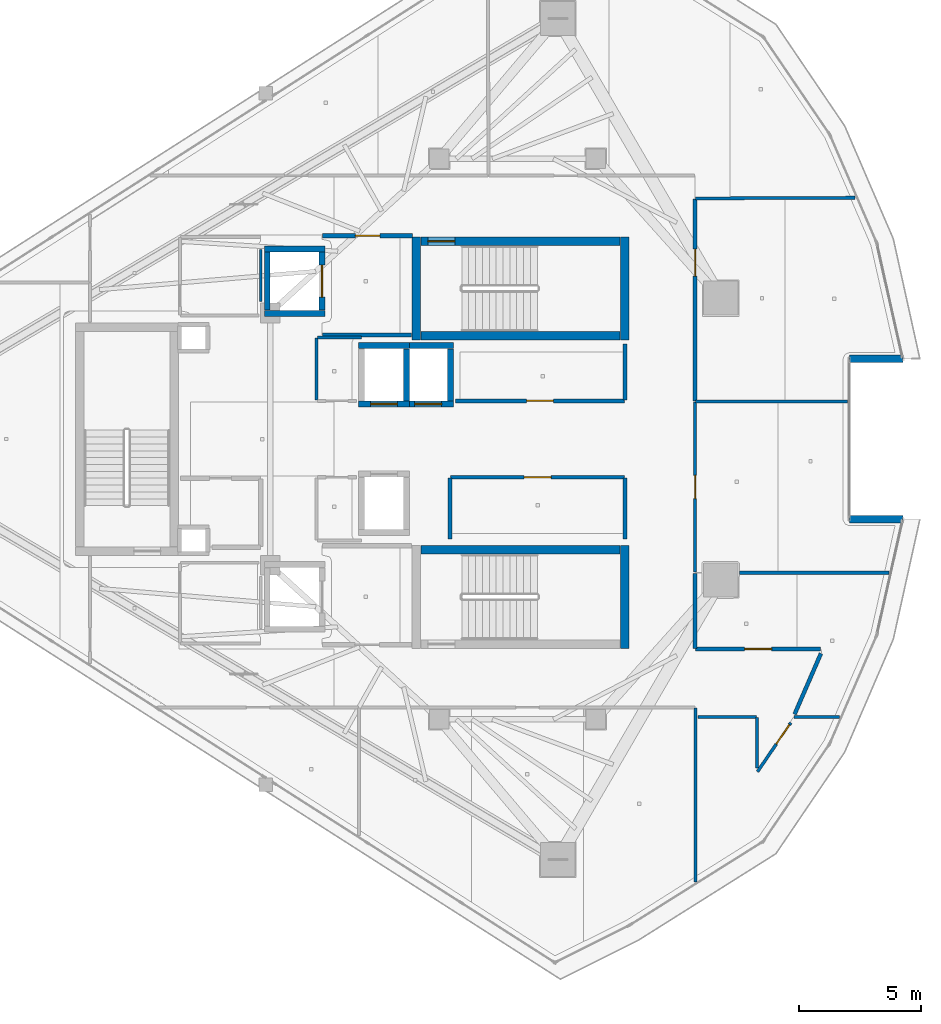
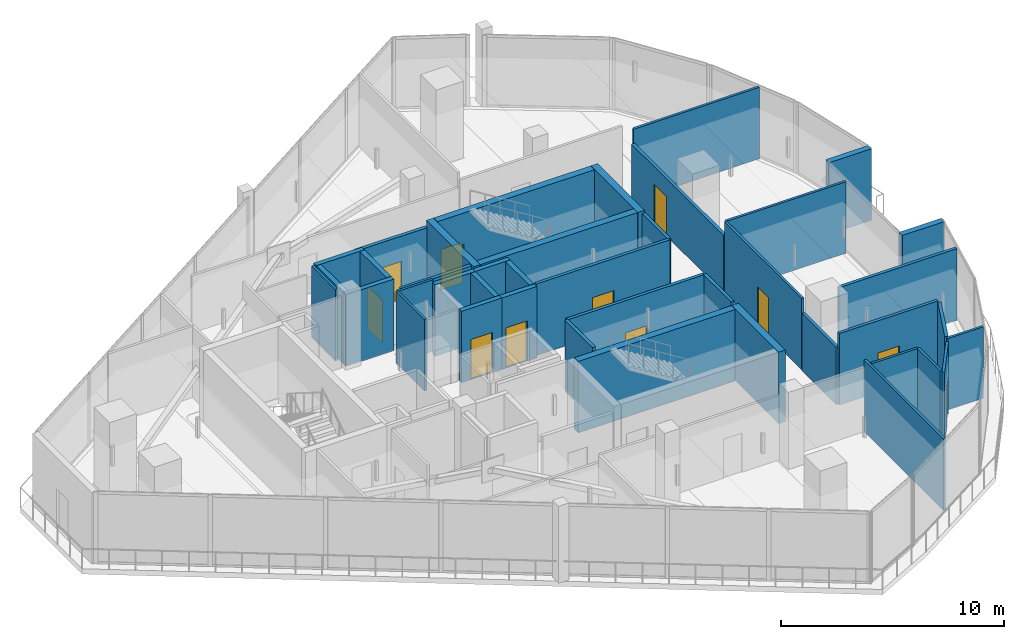
# One storey, part 18 of 25: 41 walls, 11 doors, 11 openings.
"""IFC4 building model written with IfcOpenShell, lengths in metres."""

from ifc_helpers import new_model, si_unit, direction, frame, frame_2d, origin, place, context, subcontext, project, spatial, rectangle, extrude, material, layer, layer_set, type_object, element, fill, save


model = new_model("IFC4")

# Units and contexts
model_context = context("Model", 3, precision=1e-05, world=origin(), true_north=direction((0.0, 1.0)))
body_context = subcontext(model_context, "Body", "Model", "MODEL_VIEW")
ifc_project = project(units=[si_unit("LENGTHUNIT", "METRE"), si_unit("AREAUNIT", "SQUARE_METRE"), si_unit("VOLUMEUNIT", "CUBIC_METRE"), si_unit("PLANEANGLEUNIT", "RADIAN"), si_unit("MASSUNIT", "GRAM", prefix="KILO")], contexts=[model_context])

# Site, building, storey
site_placement = place(None, origin())
site = spatial("IfcSite", under=ifc_project, at=site_placement, CompositionType="ELEMENT")
building_placement = place(site_placement, origin())
building = spatial("IfcBuilding", under=site, at=building_placement, Name="Qorvath Tower", CompositionType="ELEMENT")
storey_placement = place(building_placement, frame((0.0, 0.0, 314.39990234375)))
storey = spatial("IfcBuildingStorey", under=building, at=storey_placement, Name="L73", CompositionType="ELEMENT", Elevation=314.39990234375)

# Wall
ifc_material_1 = material(Name="Gypsum shaftliner on steel studs", Category="steel")
ifc_layer_1 = layer(ifc_material_1, 0.179931640625)
ifc_layer_set_1 = layer_set([ifc_layer_1], Name="FW-LOBBY")
wall_type_1 = type_object("IfcWallType", Name="FW-LOBBY", PredefinedType="PARTITIONING", material=ifc_layer_set_1)
wall_1_placement = place(storey_placement, frame((-28.35498046875, 4.25, 0.0), z_axis=(0.0, 0.0, 1.0), x_axis=(1.0, 0.0, 0.0)))
element("IfcWall", 1, at=wall_1_placement, inside=storey, type_object=wall_type_1, Name="Interior Partition IW-T1-L73-001", PredefinedType="PARTITIONING", context=body_context, shape_type="SweptSolid", body=[
    extrude(rectangle(XDim=3.6220703125, YDim=0.179931640625, at=frame_2d((1.81103515625, 0.0))), origin(), (0.0, 0.0, 1.0), 3.91015625),
])

# Wall, opening, door
wall_2_placement = place(storey_placement, frame((-24.68408203125, 8.300048828125, 0.0), z_axis=(0.0, 0.0, 1.0), x_axis=(-1.0, 0.0, 0.0)))
wall_2 = element("IfcWall", 2, at=wall_2_placement, inside=storey, type_object=wall_type_1, Name="Interior Partition IW-T1-L73-002", PredefinedType="PARTITIONING", context=body_context, shape_type="SweptSolid", body=[
    extrude(rectangle(XDim=3.6708984375, YDim=0.179931640625, at=frame_2d((1.83544921875, 0.0))), origin(), (0.0, 0.0, 1.0), 3.529052734375),
])
opening_1_placement = place(wall_2_placement, frame((1.33544921875, 0.0, 0.0)))
opening_1 = element("IfcOpeningElement", 3, at=opening_1_placement, cuts=wall_2, Name="Opening D-T1-L73-16", PredefinedType="OPENING", context=body_context, shape_type="SweptSolid", body=[
    extrude(rectangle(XDim=1.0, YDim=2.14990234375, at=frame_2d((0.5, 1.074951171875))), frame((0.0, 0.10009765625, 0.0), z_axis=(0.0, -1.0, 0.0), x_axis=(1.0, 0.0, 0.0)), (0.0, 0.0, 1.0), 0.199951171875),
])
ifc_material_2 = material(Name="Painted galvanised hollow metal", Category="steel")
door_type_1 = type_object("IfcDoorType", Name="FD-60", OperationType="NOTDEFINED", PredefinedType="DOOR", material=ifc_material_2)
door_1_placement = place(opening_1_placement, origin())
door_1 = element("IfcDoor", 4, at=door_1_placement, inside=storey, type_object=door_type_1, Name="Lobby Fire Service Elevator North Door D-T1-L73-16", OperationType="SINGLE_SWING_LEFT", OverallHeight=2.14990234375, OverallWidth=1.0, PredefinedType="DOOR", context=body_context, shape_type="SweptSolid", body=[
    extrude(rectangle(XDim=1.0, YDim=2.14990234375, at=frame_2d((0.5, 1.074951171875))), frame((0.0, 0.02490234375, 0.0), z_axis=(0.0, -1.0, 0.0), x_axis=(1.0, 0.0, 0.0)), (0.0, 0.0, 1.0), 0.050048828125),
])
fill(opening_1, door_1)

ifc_material_3 = material(Name="Double acoustic gypsum board on steel studs", Category="steel")
ifc_layer_2 = layer(ifc_material_3, 0.159912109375)
ifc_layer_set_2 = layer_set([ifc_layer_2], Name="IW-ACOUSTIC-160")
wall_type_2 = type_object("IfcWallType", Name="IW-ACOUSTIC-160", PredefinedType="PARTITIONING", material=ifc_layer_set_2)
wall_3_placement = place(storey_placement, frame((-22.933837890625, 1.56005859375, 0.0), z_axis=(0.0, 0.0, 1.0), x_axis=(1.0, 0.0, 0.0)))
wall_3 = element("IfcWall", 5, at=wall_3_placement, inside=storey, type_object=wall_type_2, Name="Interior Partition IW-T1-L73-013", PredefinedType="PARTITIONING", context=body_context, shape_type="SweptSolid", body=[
    extrude(rectangle(XDim=6.908935546875, YDim=0.159912109375, at=frame_2d((3.45458984375, 0.0))), origin(), (0.0, 0.0, 1.0), 3.91015625),
])
opening_2_placement = place(wall_3_placement, frame((2.904541015625, 0.0, 0.0)))
opening_2 = element("IfcOpeningElement", 6, at=opening_2_placement, cuts=wall_3, Name="Opening D-T1-L73-03", PredefinedType="OPENING", context=body_context, shape_type="SweptSolid", body=[
    extrude(rectangle(XDim=1.10009765625, YDim=2.14990234375, at=frame_2d((0.550048828125, 1.074951171875))), frame((0.0, 0.08984375, 0.0), z_axis=(0.0, -1.0, 0.0), x_axis=(1.0, 0.0, 0.0)), (0.0, 0.0, 1.0), 0.179931640625),
])
ifc_material_4 = material(Name="Anodised aluminium acoustic framed glass", Category="aluminium")
door_type_2 = type_object("IfcDoorType", Name="D-03", OperationType="NOTDEFINED", PredefinedType="DOOR", material=ifc_material_4)
door_2_placement = place(opening_2_placement, origin())
door_2 = element("IfcDoor", 7, at=door_2_placement, inside=storey, type_object=door_type_2, Name="L73-RCN North Executive Support Office Door D-T1-L73-03", OperationType="SINGLE_SWING_RIGHT", OverallHeight=2.14990234375, OverallWidth=1.10009765625, PredefinedType="DOOR", context=body_context, shape_type="SweptSolid", body=[
    extrude(rectangle(XDim=1.10009765625, YDim=2.14990234375, at=frame_2d((0.550048828125, 1.074951171875))), frame((0.0, 0.02490234375, 0.0), z_axis=(0.0, -1.0, 0.0), x_axis=(1.0, 0.0, 0.0)), (0.0, 0.0, 1.0), 0.050048828125),
])
fill(opening_2, door_2)

# Walls
wall_4_placement = place(storey_placement, frame((-16.0, 1.585205078125, 0.0), z_axis=(0.0, 0.0, 1.0), x_axis=(0.0, 1.0, 0.0)))
element("IfcWall", 8, at=wall_4_placement, inside=storey, type_object=wall_type_2, Name="Interior Partition IW-T1-L73-014", PredefinedType="PARTITIONING", context=body_context, shape_type="SweptSolid", body=[
    extrude(rectangle(XDim=2.30224609375, YDim=0.159912109375, at=frame_2d((1.151123046875, 0.0))), origin(), (0.0, 0.0, 1.0), 3.91015625),
])
for number, where, z_axis, x_axis, name in (
    (9, (-23.14990234375, -1.585205078125, 0.0), (0.0, 0.0, 1.0), (0.0, -1.0, 0.0), "Interior Partition IW-T1-L73-015"),
    (10, (-16.0, -4.0751953125, 0.0), (0.0, 0.0, 1.0), (0.0, 1.0, 0.0), "Interior Partition IW-T1-L73-016"),
):
    element("IfcWall", number, at=place(storey_placement, frame(where, z_axis=z_axis, x_axis=x_axis)), inside=storey, type_object=wall_type_2, Name=name, PredefinedType="PARTITIONING", context=body_context, shape_type="SweptSolid", body=[
        extrude(rectangle(XDim=2.489990234375, YDim=0.159912109375, at=frame_2d((1.2451171875, 0.0))), origin(), (0.0, 0.0, 1.0), 3.91015625),
    ])

# Wall, opening, door
wall_5_placement = place(storey_placement, frame((-16.02490234375, -1.56005859375, 0.0), z_axis=(0.0, 0.0, 1.0), x_axis=(-1.0, 0.0, 0.0)))
wall_5 = element("IfcWall", 11, at=wall_5_placement, inside=storey, type_object=wall_type_2, Name="Interior Partition IW-T1-L73-017", PredefinedType="PARTITIONING", context=body_context, shape_type="SweptSolid", body=[
    extrude(rectangle(XDim=7.10009765625, YDim=0.159912109375, at=frame_2d((3.550048828125, 0.0))), origin(), (0.0, 0.0, 1.0), 3.91015625),
])
opening_3_placement = place(wall_5_placement, frame((3.0, 0.0, 0.0)))
opening_3 = element("IfcOpeningElement", 12, at=opening_3_placement, cuts=wall_5, Name="Opening D-T1-L73-04", PredefinedType="OPENING", context=body_context, shape_type="SweptSolid", body=[
    extrude(rectangle(XDim=1.10009765625, YDim=2.14990234375, at=frame_2d((0.550048828125, 1.074951171875))), frame((0.0, 0.08984375, 0.0), z_axis=(0.0, -1.0, 0.0), x_axis=(1.0, 0.0, 0.0)), (0.0, 0.0, 1.0), 0.179931640625),
])
door_3_placement = place(opening_3_placement, origin())
door_3 = element("IfcDoor", 13, at=door_3_placement, inside=storey, type_object=door_type_2, Name="L73-RCS South Executive Support Office Door D-T1-L73-04", OperationType="SINGLE_SWING_LEFT", OverallHeight=2.14990234375, OverallWidth=1.10009765625, PredefinedType="DOOR", context=body_context, shape_type="SweptSolid", body=[
    extrude(rectangle(XDim=1.10009765625, YDim=2.14990234375, at=frame_2d((0.550048828125, 1.074951171875))), frame((0.0, 0.02490234375, 0.0), z_axis=(0.0, -1.0, 0.0), x_axis=(1.0, 0.0, 0.0)), (0.0, 0.0, 1.0), 0.050048828125),
])
fill(opening_3, door_3)

# Walls
wall_6_placement = place(storey_placement, frame((-5.228271484375, -5.460693359375, 0.0), z_axis=(0.0, 0.0, 1.0), x_axis=(-1.0, 0.0, 0.0)))
element("IfcWall", 14, at=wall_6_placement, inside=storey, type_object=wall_type_2, Name="Interior Partition IW-T1-L73-039", PredefinedType="PARTITIONING", context=body_context, shape_type="SweptSolid", body=[
    extrude(rectangle(XDim=6.103515625, YDim=0.159912109375, at=frame_2d((3.0517578125, 0.0))), origin(), (0.0, 0.0, 1.0), 3.91015625),
])
wall_7_placement = place(storey_placement, frame((-13.14208984375, -5.485595703125, 0.0), z_axis=(0.0, 0.0, 1.0), x_axis=(0.0, -1.0, 0.0)))
element("IfcWall", 15, at=wall_7_placement, inside=storey, type_object=wall_type_2, Name="Interior Partition IW-T1-L73-040", PredefinedType="PARTITIONING", context=body_context, shape_type="SweptSolid", body=[
    extrude(rectangle(XDim=3.0615234375, YDim=0.159912109375, at=frame_2d((1.53076171875, 0.0))), origin(), (0.0, 0.0, 1.0), 3.130126953125),
])

# Wall, opening, door
wall_8_placement = place(storey_placement, frame((-13.1171875, -8.572021484375, 0.0), z_axis=(0.0, 0.0, 1.0), x_axis=(1.0, 0.0, 0.0)))
wall_8 = element("IfcWall", 16, at=wall_8_placement, inside=storey, type_object=wall_type_2, Name="Interior Partition IW-T1-L73-041", PredefinedType="PARTITIONING", context=body_context, shape_type="SweptSolid", body=[
    extrude(rectangle(XDim=5.100341796875, YDim=0.159912109375, at=frame_2d((2.55029296875, 0.0))), origin(), (0.0, 0.0, 1.0), 3.91015625),
])
opening_4_placement = place(wall_8_placement, frame((2.000244140625, 0.0, 0.0)))
opening_4 = element("IfcOpeningElement", 17, at=opening_4_placement, cuts=wall_8, Name="Opening D-T1-L73-11", PredefinedType="OPENING", context=body_context, shape_type="SweptSolid", body=[
    extrude(rectangle(XDim=1.10009765625, YDim=2.14990234375, at=frame_2d((0.550048828125, 1.074951171875))), frame((0.0, 0.08984375, 0.0), z_axis=(0.0, -1.0, 0.0), x_axis=(1.0, 0.0, 0.0)), (0.0, 0.0, 1.0), 0.179931640625),
])
door_4_placement = place(opening_4_placement, origin())
door_4 = element("IfcDoor", 18, at=door_4_placement, inside=storey, type_object=door_type_2, Name="L73-06 Digital Visualization Suite Door D-T1-L73-11", OperationType="SINGLE_SWING_RIGHT", OverallHeight=2.14990234375, OverallWidth=1.10009765625, PredefinedType="DOOR", context=body_context, shape_type="SweptSolid", body=[
    extrude(rectangle(XDim=1.10009765625, YDim=2.14990234375, at=frame_2d((0.550048828125, 1.074951171875))), frame((0.0, 0.02490234375, 0.0), z_axis=(0.0, -1.0, 0.0), x_axis=(1.0, 0.0, 0.0)), (0.0, 0.0, 1.0), 0.050048828125),
])
fill(opening_4, door_4)

# Wall
wall_9_placement = place(storey_placement, frame((-9.079345703125, -11.241943359375, 0.0), z_axis=(0.0, 0.0, 1.0), x_axis=(0.397799688337, 0.917472292747, 0.0)))
element("IfcWall", 19, at=wall_9_placement, inside=storey, type_object=wall_type_2, Name="Interior Partition IW-T1-L73-042", PredefinedType="PARTITIONING", context=body_context, shape_type="SweptSolid", body=[
    extrude(rectangle(XDim=2.70849609375, YDim=0.159912109375, at=frame_2d((1.354248046875, 0.0))), origin(), (0.0, 0.0, 1.0), 3.91015625),
])

# Wall, opening, door
wall_10_placement = place(storey_placement, frame((-13.14208984375, 9.795654296875, 0.0), z_axis=(0.0, 0.0, 1.0), x_axis=(0.0, -1.0, 0.0)))
wall_10 = element("IfcWall", 20, at=wall_10_placement, inside=storey, type_object=wall_type_2, Name="Interior Partition IW-T1-L73-045", PredefinedType="PARTITIONING", context=body_context, shape_type="SweptSolid", body=[
    extrude(rectangle(XDim=8.233154296875, YDim=0.159912109375, at=frame_2d((4.11669921875, 0.0))), origin(), (0.0, 0.0, 1.0), 3.130126953125),
])
opening_5_placement = place(wall_10_placement, frame((2.0380859375, 0.0, 0.0)))
opening_5 = element("IfcOpeningElement", 21, at=opening_5_placement, cuts=wall_10, Name="Opening D-T1-L73-13", PredefinedType="OPENING", context=body_context, shape_type="SweptSolid", body=[
    extrude(rectangle(XDim=1.10009765625, YDim=2.14990234375, at=frame_2d((0.550048828125, 1.074951171875))), frame((0.0, 0.08984375, 0.0), z_axis=(0.0, -1.0, 0.0), x_axis=(1.0, 0.0, 0.0)), (0.0, 0.0, 1.0), 0.179931640625),
])
door_5_placement = place(opening_5_placement, origin())
door_5 = element("IfcDoor", 22, at=door_5_placement, inside=storey, type_object=door_type_2, Name="L73-08 Team Project Office Door D-T1-L73-13", OperationType="SINGLE_SWING_RIGHT", OverallHeight=2.14990234375, OverallWidth=1.10009765625, PredefinedType="DOOR", context=body_context, shape_type="SweptSolid", body=[
    extrude(rectangle(XDim=1.10009765625, YDim=2.14990234375, at=frame_2d((0.550048828125, 1.074951171875))), frame((0.0, 0.02490234375, 0.0), z_axis=(0.0, -1.0, 0.0), x_axis=(1.0, 0.0, 0.0)), (0.0, 0.0, 1.0), 0.050048828125),
])
fill(opening_5, door_5)

# Walls
ifc_material_5 = material(Name="Gypsum board on metal studs with mineral wool", Category="gypsum")
ifc_layer_3 = layer(ifc_material_5, 0.125)
ifc_layer_set_3 = layer_set([ifc_layer_3], Name="IW-PART-125")
wall_type_3 = type_object("IfcWallType", Name="IW-PART-125", PredefinedType="PARTITIONING", material=ifc_layer_set_3)
wall_11_placement = place(storey_placement, frame((-28.60009765625, 4.125, 0.0), z_axis=(0.0, 0.0, 1.0), x_axis=(0.0, -1.0, 0.0)))
element("IfcWall", 23, at=wall_11_placement, inside=storey, type_object=wall_type_3, Name="Interior Partition IW-T1-L73-018", PredefinedType="PARTITIONING", context=body_context, shape_type="SweptSolid", body=[
    extrude(rectangle(XDim=2.539794921875, YDim=0.125, at=frame_2d((1.27001953125, 0.0))), origin(), (0.0, 0.0, 1.0), 3.91015625),
])
wall_12_placement = place(storey_placement, frame((-26.77490234375, 4.14990234375, 0.0), z_axis=(0.0, 0.0, 1.0), x_axis=(-1.0, 0.0, 0.0)))
element("IfcWall", 24, at=wall_12_placement, inside=storey, type_object=wall_type_3, Name="Interior Partition IW-T1-L73-020", PredefinedType="PARTITIONING", context=body_context, shape_type="SweptSolid", body=[
    extrude(rectangle(XDim=1.80029296875, YDim=0.125, at=frame_2d((0.900146484375, 0.0))), origin(), (0.0, 0.0, 1.0), 3.91015625),
])
wall_13_placement = place(storey_placement, frame((-13.1171875, 9.82861328125, 0.0), z_axis=(0.0, 0.0, 1.0), x_axis=(0.999990541958, 0.004349252104, 0.0)))
element("IfcWall", 25, at=wall_13_placement, inside=storey, type_object=wall_type_3, Name="Interior Partition IW-T1-L73-030", PredefinedType="PARTITIONING", context=body_context, shape_type="SweptSolid", body=[
    extrude(rectangle(XDim=6.511474609375, YDim=0.125, at=frame_2d((3.255859375, 0.0))), origin(), (0.0, 0.0, 1.0), 3.91015625),
])
wall_14_placement = place(storey_placement, frame((-13.1298828125, -18.090087890625, 0.0), z_axis=(0.0, 0.0, 1.0), x_axis=(0.0, 1.0, 0.0)))
element("IfcWall", 26, at=wall_14_placement, inside=storey, type_object=wall_type_3, Name="Interior Partition IW-T1-L73-034", PredefinedType="PARTITIONING", context=body_context, shape_type="SweptSolid", body=[
    extrude(rectangle(XDim=7.107177734375, YDim=0.125, at=frame_2d((3.5537109375, 0.0))), origin(), (0.0, 0.0, 1.0), 3.91015625),
])
wall_15_placement = place(storey_placement, frame((-7.2529296875, -11.349853515625, 0.0), z_axis=(0.0, 0.0, 1.0), x_axis=(-1.0, 0.0, 0.0)))
element("IfcWall", 27, at=wall_15_placement, inside=storey, type_object=wall_type_3, Name="Interior Partition IW-T1-L73-035", PredefinedType="PARTITIONING", context=body_context, shape_type="SweptSolid", body=[
    extrude(rectangle(XDim=1.84814453125, YDim=0.125, at=frame_2d((0.924072265625, 0.0))), origin(), (0.0, 0.0, 1.0), 3.91015625),
])

# Wall, opening, door
wall_16_placement = place(storey_placement, frame((-10.59375, -13.587890625, 0.0), z_axis=(0.0, 0.0, 1.0), x_axis=(0.562058874002, 0.827097226543, 0.0)))
wall_16 = element("IfcWall", 28, at=wall_16_placement, inside=storey, type_object=wall_type_3, Name="Interior Partition IW-T1-L73-036", PredefinedType="PARTITIONING", context=body_context, shape_type="SweptSolid", body=[
    extrude(rectangle(XDim=2.419921875, YDim=0.125, at=frame_2d((1.2099609375, 0.0))), origin(), (0.0, 0.0, 1.0), 3.91015625),
])
opening_6_placement = place(wall_16_placement, frame((1.364990234375, 0.0, 0.0)))
opening_6 = element("IfcOpeningElement", 29, at=opening_6_placement, cuts=wall_16, Name="Opening D-T1-L73-19", PredefinedType="OPENING", context=body_context, shape_type="SweptSolid", body=[
    extrude(rectangle(XDim=0.949951171875, YDim=2.14990234375, at=frame_2d((0.47509765625, 1.074951171875))), frame((0.0, 0.072509765625, 0.0), z_axis=(0.0, -1.0, 0.0), x_axis=(1.0, 0.0, 0.0)), (0.0, 0.0, 1.0), 0.14501953125),
])
ifc_material_6 = material(Name="Solid-core American white oak veneer", Category="wood")
door_type_3 = type_object("IfcDoorType", Name="D-01", OperationType="NOTDEFINED", PredefinedType="DOOR", material=ifc_material_6)
door_6_placement = place(opening_6_placement, origin())
door_6 = element("IfcDoor", 30, at=door_6_placement, inside=storey, type_object=door_type_3, Name="L73-05 Breakout Reading Alcove Door D-T1-L73-19", OperationType="SINGLE_SWING_RIGHT", OverallHeight=2.14990234375, OverallWidth=0.949951171875, PredefinedType="DOOR", context=body_context, shape_type="SweptSolid", body=[
    extrude(rectangle(XDim=0.949951171875, YDim=2.14990234375, at=frame_2d((0.47509765625, 1.074951171875))), frame((0.0, 0.02490234375, 0.0), z_axis=(0.0, -1.0, 0.0), x_axis=(1.0, 0.0, 0.0)), (0.0, 0.0, 1.0), 0.050048828125),
])
fill(opening_6, door_6)

# Walls
wall_17_placement = place(storey_placement, frame((-10.60791015625, -13.432373046875, 0.0), z_axis=(0.0, 0.0, 1.0), x_axis=(0.0, 1.0, 0.0)))
element("IfcWall", 31, at=wall_17_placement, inside=storey, type_object=wall_type_3, Name="Interior Partition IW-T1-L73-037", PredefinedType="PARTITIONING", context=body_context, shape_type="SweptSolid", body=[
    extrude(rectangle(XDim=2.057373046875, YDim=0.125, at=frame_2d((1.02880859375, 0.0))), origin(), (0.0, 0.0, 1.0), 3.91015625),
])
wall_18_placement = place(storey_placement, frame((-10.6328125, -11.349853515625, 0.0), z_axis=(0.0, 0.0, 1.0), x_axis=(-1.0, 0.0, 0.0)))
element("IfcWall", 32, at=wall_18_placement, inside=storey, type_object=wall_type_3, Name="Interior Partition IW-T1-L73-038", PredefinedType="PARTITIONING", context=body_context, shape_type="SweptSolid", body=[
    extrude(rectangle(XDim=2.38720703125, YDim=0.125, at=frame_2d((1.193603515625, 0.0))), origin(), (0.0, 0.0, 1.0), 3.91015625),
])
wall_19_placement = place(storey_placement, frame((-6.92236328125, 1.529541015625, 0.0), z_axis=(0.0, 0.0, 1.0), x_axis=(-1.0, 0.0, 0.0)))
element("IfcWall", 33, at=wall_19_placement, inside=storey, type_object=wall_type_3, Name="Interior Partition IW-T1-L73-043", PredefinedType="PARTITIONING", context=body_context, shape_type="SweptSolid", body=[
    extrude(rectangle(XDim=6.19482421875, YDim=0.125, at=frame_2d((3.097412109375, 0.0))), origin(), (0.0, 0.0, 1.0), 3.91015625),
])

# Wall, opening, door
wall_20_placement = place(storey_placement, frame((-13.14208984375, 1.50439453125, 0.0), z_axis=(0.0, 0.0, 1.0), x_axis=(0.0, -1.0, 0.0)))
wall_20 = element("IfcWall", 34, at=wall_20_placement, inside=storey, type_object=wall_type_3, Name="Interior Partition IW-T1-L73-044", PredefinedType="PARTITIONING", context=body_context, shape_type="SweptSolid", body=[
    extrude(rectangle(XDim=6.931884765625, YDim=0.125, at=frame_2d((3.4658203125, 0.0))), origin(), (0.0, 0.0, 1.0), 3.91015625),
])
opening_7_placement = place(wall_20_placement, frame((2.990966796875, 0.0, 0.0)))
opening_7 = element("IfcOpeningElement", 35, at=opening_7_placement, cuts=wall_20, Name="Opening D-T1-L73-12", PredefinedType="OPENING", context=body_context, shape_type="SweptSolid", body=[
    extrude(rectangle(XDim=0.949951171875, YDim=2.14990234375, at=frame_2d((0.47509765625, 1.074951171875))), frame((0.0, 0.072509765625, 0.0), z_axis=(0.0, -1.0, 0.0), x_axis=(1.0, 0.0, 0.0)), (0.0, 0.0, 1.0), 0.14501953125),
])
door_7_placement = place(opening_7_placement, origin())
door_7 = element("IfcDoor", 36, at=door_7_placement, inside=storey, type_object=door_type_3, Name="L73-07 Quantitative Research Studio Door D-T1-L73-12", OperationType="SINGLE_SWING_LEFT", OverallHeight=2.14990234375, OverallWidth=0.949951171875, PredefinedType="DOOR", context=body_context, shape_type="SweptSolid", body=[
    extrude(rectangle(XDim=0.949951171875, YDim=2.14990234375, at=frame_2d((0.47509765625, 1.074951171875))), frame((0.0, 0.02490234375, 0.0), z_axis=(0.0, -1.0, 0.0), x_axis=(1.0, 0.0, 0.0)), (0.0, 0.0, 1.0), 0.050048828125),
])
fill(opening_7, door_7)

# Walls
ifc_material_7 = material(Name="Moisture-resistant cement board on metal studs", Category="gypsum")
ifc_layer_4 = layer(ifc_material_7, 0.110107421875)
ifc_layer_set_4 = layer_set([ifc_layer_4], Name="IW-WC-110")
wall_type_4 = type_object("IfcWallType", Name="IW-WC-110", PredefinedType="PARTITIONING", material=ifc_layer_set_4)
wall_21_placement = place(storey_placement, frame((-30.8798828125, 5.614990234375, 0.0), z_axis=(0.0, 0.0, 1.0), x_axis=(0.0, 1.0, 0.0)))
element("IfcWall", 37, at=wall_21_placement, inside=storey, type_object=wall_type_4, Name="Interior Partition IW-T1-L73-007", PredefinedType="PARTITIONING", context=body_context, shape_type="SweptSolid", body=[
    extrude(rectangle(XDim=2.1279296875, YDim=0.110107421875, at=frame_2d((1.06396484375, 0.0))), origin(), (0.0, 0.0, 1.0), 3.91015625),
])
ifc_material_8 = material(Name="Concrete C60/75", Category="concrete")
ifc_layer_5 = layer(ifc_material_8, 0.260009765625)
ifc_layer_set_5 = layer_set([ifc_layer_5], Name="SW-SHAFT")
wall_type_5 = type_object("IfcWallType", Name="SW-SHAFT", PredefinedType="SHEAR", material=ifc_layer_set_5)
for number, where, z_axis, x_axis, name in (
    (38, (-28.260009765625, 5.1298828125, 0.0), (0.0, 0.0, 1.0), (-1.0, 0.0, 0.0), "Hoistway Wall FSAE-1 L73 S"),
    (39, (-30.739990234375, 7.77001953125, 0.0), (0.0, 0.0, 1.0), (1.0, 0.0, 0.0), "Hoistway Wall FSAE-1 L73 N"),
):
    element("IfcWall", number, at=place(storey_placement, frame(where, z_axis=z_axis, x_axis=x_axis)), inside=storey, type_object=wall_type_5, Name=name, PredefinedType="SHEAR", context=body_context, shape_type="SweptSolid", body=[
        extrude(rectangle(XDim=2.47998046875, YDim=0.239990234375, at=frame_2d((1.239990234375, 0.0))), origin(), (0.0, 0.0, 1.0), 3.91015625),
    ])
wall_22_placement = place(storey_placement, frame((-30.6201171875, 5.261962890625, 0.0), z_axis=(0.0, 0.0, 1.0), x_axis=(0.0, 1.0, 0.0)))
element("IfcWall", 40, at=wall_22_placement, inside=storey, type_object=wall_type_5, Name="Hoistway Wall FSAE-1 L73 W", PredefinedType="SHEAR", context=body_context, shape_type="SweptSolid", body=[
    extrude(rectangle(XDim=2.3759765625, YDim=0.239990234375, at=frame_2d((1.18798828125, 0.0))), origin(), (0.0, 0.0, 1.0), 3.91015625),
])

# Wall, opening, door
wall_23_placement = place(storey_placement, frame((-28.3798828125, 7.637939453125, 0.0), z_axis=(0.0, 0.0, 1.0), x_axis=(0.0, -1.0, 0.0)))
wall_23 = element("IfcWall", 41, at=wall_23_placement, inside=storey, type_object=wall_type_5, Name="Hoistway Wall FSAE-1 L73 E", PredefinedType="SHEAR", context=body_context, shape_type="SweptSolid", body=[
    extrude(rectangle(XDim=2.3759765625, YDim=0.239990234375, at=frame_2d((1.18798828125, 0.0))), origin(), (0.0, 0.0, 1.0), 3.91015625),
])
opening_8_placement = place(wall_23_placement, frame((0.537841796875, 0.0, 0.0)))
opening_8 = element("IfcOpeningElement", 42, at=opening_8_placement, cuts=wall_23, Name="Opening LD-FSAE-1-L73", PredefinedType="OPENING", context=body_context, shape_type="SweptSolid", body=[
    extrude(rectangle(XDim=1.300048828125, YDim=2.300048828125, at=frame_2d((0.64990234375, 1.14990234375))), frame((0.0, 0.1298828125, 0.0), z_axis=(0.0, -1.0, 0.0), x_axis=(1.0, 0.0, 0.0)), (0.0, 0.0, 1.0), 0.260009765625),
])
ifc_material_9 = material(Name="Brushed stainless steel AISI 316", Category="steel")
door_type_4 = type_object("IfcDoorType", Name="LD-02", OperationType="NOTDEFINED", PredefinedType="DOOR", material=ifc_material_9)
door_8_placement = place(opening_8_placement, origin())
door_8 = element("IfcDoor", 43, at=door_8_placement, inside=storey, type_object=door_type_4, Name="Elevator Landing Sliding Door LD-FSAE-1-L73", OperationType="DOUBLE_DOOR_SLIDING", OverallHeight=2.300048828125, OverallWidth=1.300048828125, PredefinedType="DOOR", context=body_context, shape_type="SweptSolid", body=[
    extrude(rectangle(XDim=1.300048828125, YDim=2.300048828125, at=frame_2d((0.64990234375, 1.14990234375))), frame((0.0, 0.02490234375, 0.0), z_axis=(0.0, -1.0, 0.0), x_axis=(1.0, 0.0, 0.0)), (0.0, 0.0, 1.0), 0.050048828125),
])
fill(opening_8, door_8)

wall_24_placement = place(storey_placement, frame((-24.81005859375, 1.429931640625, 0.0), z_axis=(0.0, 0.0, 1.0), x_axis=(-1.0, 0.0, 0.0)))
wall_24 = element("IfcWall", 44, at=wall_24_placement, inside=storey, type_object=wall_type_5, Name="Hoistway Wall PH-1 L73 S", PredefinedType="SHEAR", context=body_context, shape_type="SweptSolid", body=[
    extrude(rectangle(XDim=2.079833984375, YDim=0.239990234375, at=frame_2d((1.0400390625, 0.0))), origin(), (0.0, 0.0, 1.0), 3.91015625),
])
opening_9_placement = place(wall_24_placement, frame((0.489990234375, 0.0, 0.0)))
opening_9 = element("IfcOpeningElement", 45, at=opening_9_placement, cuts=wall_24, Name="Opening LD-PH-1-L73", PredefinedType="OPENING", context=body_context, shape_type="SweptSolid", body=[
    extrude(rectangle(XDim=1.10009765625, YDim=2.199951171875, at=frame_2d((0.550048828125, 1.10009765625))), frame((0.0, 0.1298828125, 0.0), z_axis=(0.0, -1.0, 0.0), x_axis=(1.0, 0.0, 0.0)), (0.0, 0.0, 1.0), 0.260009765625),
])
ifc_material_10 = material(Name="Brushed stainless steel AISI 316", Category="steel")
door_type_5 = type_object("IfcDoorType", Name="LD-01", OperationType="NOTDEFINED", PredefinedType="DOOR", material=ifc_material_10)
door_9_placement = place(opening_9_placement, origin())
door_9 = element("IfcDoor", 46, at=door_9_placement, inside=storey, type_object=door_type_5, Name="Elevator Landing Sliding Door LD-PH-1-L73", OperationType="DOUBLE_DOOR_SLIDING", OverallHeight=2.199951171875, OverallWidth=1.10009765625, PredefinedType="DOOR", context=body_context, shape_type="SweptSolid", body=[
    extrude(rectangle(XDim=1.10009765625, YDim=2.199951171875, at=frame_2d((0.550048828125, 1.10009765625))), frame((0.0, 0.02490234375, 0.0), z_axis=(0.0, -1.0, 0.0), x_axis=(1.0, 0.0, 0.0)), (0.0, 0.0, 1.0), 0.050048828125),
])
fill(opening_9, door_9)

# Walls
wall_25_placement = place(storey_placement, frame((-26.889892578125, 3.820068359375, 0.0), z_axis=(0.0, 0.0, 1.0), x_axis=(1.0, 0.0, 0.0)))
element("IfcWall", 47, at=wall_25_placement, inside=storey, type_object=wall_type_5, Name="Hoistway Wall PH-1 L73 N", PredefinedType="SHEAR", context=body_context, shape_type="SweptSolid", body=[
    extrude(rectangle(XDim=2.079833984375, YDim=0.239990234375, at=frame_2d((1.0400390625, 0.0))), origin(), (0.0, 0.0, 1.0), 3.91015625),
])
wall_26_placement = place(storey_placement, frame((-24.929931640625, 3.68798828125, 0.0), z_axis=(0.0, 0.0, 1.0), x_axis=(0.0, -1.0, 0.0)))
element("IfcWall", 48, at=wall_26_placement, inside=storey, type_object=wall_type_5, Name="Hoistway Wall PH-1 L73 E", PredefinedType="SHEAR", context=body_context, shape_type="SweptSolid", body=[
    extrude(rectangle(XDim=2.1259765625, YDim=0.239990234375, at=frame_2d((1.06298828125, 0.0))), origin(), (0.0, 0.0, 1.0), 3.91015625),
])

# Wall, opening, door
wall_27_placement = place(storey_placement, frame((-23.010009765625, 1.429931640625, 0.0), z_axis=(0.0, 0.0, 1.0), x_axis=(-1.0, 0.0, 0.0)))
wall_27 = element("IfcWall", 49, at=wall_27_placement, inside=storey, type_object=wall_type_5, Name="Hoistway Wall PH-2 L73 S", PredefinedType="SHEAR", context=body_context, shape_type="SweptSolid", body=[
    extrude(rectangle(XDim=1.800048828125, YDim=0.239990234375, at=frame_2d((0.89990234375, 0.0))), origin(), (0.0, 0.0, 1.0), 3.91015625),
])
opening_10_placement = place(wall_27_placement, frame((0.489990234375, 0.0, 0.0)))
opening_10 = element("IfcOpeningElement", 50, at=opening_10_placement, cuts=wall_27, Name="Opening LD-PH-2-L73", PredefinedType="OPENING", context=body_context, shape_type="SweptSolid", body=[
    extrude(rectangle(XDim=1.10009765625, YDim=2.199951171875, at=frame_2d((0.550048828125, 1.10009765625))), frame((0.0, 0.1298828125, 0.0), z_axis=(0.0, -1.0, 0.0), x_axis=(1.0, 0.0, 0.0)), (0.0, 0.0, 1.0), 0.260009765625),
])
door_10_placement = place(opening_10_placement, origin())
door_10 = element("IfcDoor", 51, at=door_10_placement, inside=storey, type_object=door_type_5, Name="Elevator Landing Sliding Door LD-PH-2-L73", OperationType="DOUBLE_DOOR_SLIDING", OverallHeight=2.199951171875, OverallWidth=1.10009765625, PredefinedType="DOOR", context=body_context, shape_type="SweptSolid", body=[
    extrude(rectangle(XDim=1.10009765625, YDim=2.199951171875, at=frame_2d((0.550048828125, 1.10009765625))), frame((0.0, 0.02490234375, 0.0), z_axis=(0.0, -1.0, 0.0), x_axis=(1.0, 0.0, 0.0)), (0.0, 0.0, 1.0), 0.050048828125),
])
fill(opening_10, door_10)

# Walls
wall_28_placement = place(storey_placement, frame((-24.81005859375, 3.820068359375, 0.0), z_axis=(0.0, 0.0, 1.0), x_axis=(1.0, 0.0, 0.0)))
element("IfcWall", 52, at=wall_28_placement, inside=storey, type_object=wall_type_5, Name="Hoistway Wall PH-2 L73 N", PredefinedType="SHEAR", context=body_context, shape_type="SweptSolid", body=[
    extrude(rectangle(XDim=1.800048828125, YDim=0.239990234375, at=frame_2d((0.89990234375, 0.0))), origin(), (0.0, 0.0, 1.0), 3.91015625),
])
wall_29_placement = place(storey_placement, frame((-23.1298828125, 3.68798828125, 0.0), z_axis=(0.0, 0.0, 1.0), x_axis=(0.0, -1.0, 0.0)))
element("IfcWall", 53, at=wall_29_placement, inside=storey, type_object=wall_type_5, Name="Hoistway Wall PH-2 L73 E", PredefinedType="SHEAR", context=body_context, shape_type="SweptSolid", body=[
    extrude(rectangle(XDim=2.1259765625, YDim=0.239990234375, at=frame_2d((1.06298828125, 0.0))), origin(), (0.0, 0.0, 1.0), 3.91015625),
])
ifc_material_11 = material(Name="Concrete C60/75", Category="concrete")
ifc_layer_6 = layer(ifc_material_11, 0.35009765625)
ifc_layer_set_6 = layer_set([ifc_layer_6], Name="SW-STAIR")
wall_type_6 = type_object("IfcWallType", Name="SW-STAIR", PredefinedType="SHEAR", material=ifc_layer_set_6)
for number, where, z_axis, x_axis, name in (
    (54, (-24.52490234375, 8.260009765625, 0.0), (0.0, 0.0, 1.0), (0.0, -1.0, 0.0), "Stair TS1 Shear Wall L73 NEAR"),
    (55, (-16.02490234375, 4.050048828125, 0.0), (0.0, 0.0, 1.0), (0.0, 1.0, 0.0), "Stair TS1 Shear Wall L73 FAR"),
):
    element("IfcWall", number, at=place(storey_placement, frame(where, z_axis=z_axis, x_axis=x_axis)), inside=storey, type_object=wall_type_6, Name=name, PredefinedType="SHEAR", context=body_context, shape_type="SweptSolid", body=[
        extrude(rectangle(XDim=4.2099609375, YDim=0.35009765625, at=frame_2d((2.10498046875, 0.0))), origin(), (0.0, 0.0, 1.0), 3.91015625),
    ])
wall_30_placement = place(storey_placement, frame((-24.3349609375, 4.22509765625, 0.0), z_axis=(0.0, 0.0, 1.0), x_axis=(1.0, 0.0, 0.0)))
element("IfcWall", 56, at=wall_30_placement, inside=storey, type_object=wall_type_6, Name="Stair TS1 Shear Wall L73 LEFT", PredefinedType="SHEAR", context=body_context, shape_type="SweptSolid", body=[
    extrude(rectangle(XDim=8.119873046875, YDim=0.35009765625, at=frame_2d((4.06005859375, 0.0))), origin(), (0.0, 0.0, 1.0), 3.91015625),
])

# Wall, opening, door
wall_31_placement = place(storey_placement, frame((-16.215087890625, 8.0849609375, 0.0), z_axis=(0.0, 0.0, 1.0), x_axis=(-1.0, 0.0, 0.0)))
wall_31 = element("IfcWall", 57, at=wall_31_placement, inside=storey, type_object=wall_type_6, Name="Stair TS1 Shear Wall L73 RIGHT", PredefinedType="SHEAR", context=body_context, shape_type="SweptSolid", body=[
    extrude(rectangle(XDim=8.119873046875, YDim=0.35009765625, at=frame_2d((4.06005859375, 0.0))), origin(), (0.0, 0.0, 1.0), 3.91015625),
])
opening_11_placement = place(wall_31_placement, frame((6.739990234375, 0.0, 0.0)))
opening_11 = element("IfcOpeningElement", 58, at=opening_11_placement, cuts=wall_31, Name="Opening D-TS1-L73", PredefinedType="OPENING", context=body_context, shape_type="SweptSolid", body=[
    extrude(rectangle(XDim=1.10009765625, YDim=2.199951171875, at=frame_2d((0.550048828125, 1.10009765625))), frame((0.0, 0.18505859375, 0.0), z_axis=(0.0, -1.0, 0.0), x_axis=(1.0, 0.0, 0.0)), (0.0, 0.0, 1.0), 0.3701171875),
])
ifc_material_12 = material(Name="Painted galvanised hollow metal", Category="steel")
door_type_6 = type_object("IfcDoorType", Name="FD-90", OperationType="NOTDEFINED", PredefinedType="DOOR", material=ifc_material_12)
door_11_placement = place(opening_11_placement, origin())
door_11 = element("IfcDoor", 59, at=door_11_placement, inside=storey, type_object=door_type_6, Name="Stair TS1 Fire Door L73", OperationType="SINGLE_SWING_RIGHT", OverallHeight=2.199951171875, OverallWidth=1.10009765625, PredefinedType="DOOR", context=body_context, shape_type="SweptSolid", body=[
    extrude(rectangle(XDim=1.10009765625, YDim=2.199951171875, at=frame_2d((0.550048828125, 1.10009765625))), frame((0.0, 0.02490234375, 0.0), z_axis=(0.0, -1.0, 0.0), x_axis=(1.0, 0.0, 0.0)), (0.0, 0.0, 1.0), 0.050048828125),
])
fill(opening_11, door_11)

# Walls
wall_32_placement = place(storey_placement, frame((-16.02490234375, -8.550048828125, 0.0), z_axis=(0.0, 0.0, 1.0), x_axis=(0.0, 1.0, 0.0)))
element("IfcWall", 60, at=wall_32_placement, inside=storey, type_object=wall_type_6, Name="Stair TS2 Shear Wall L73 FAR", PredefinedType="SHEAR", context=body_context, shape_type="SweptSolid", body=[
    extrude(rectangle(XDim=4.2099609375, YDim=0.35009765625, at=frame_2d((2.10498046875, 0.0))), origin(), (0.0, 0.0, 1.0), 3.91015625),
])
wall_33_placement = place(storey_placement, frame((-16.215087890625, -4.514892578125, 0.0), z_axis=(0.0, 0.0, 1.0), x_axis=(-1.0, 0.0, 0.0)))
element("IfcWall", 61, at=wall_33_placement, inside=storey, type_object=wall_type_6, Name="Stair TS2 Shear Wall L73 RIGHT", PredefinedType="SHEAR", context=body_context, shape_type="SweptSolid", body=[
    extrude(rectangle(XDim=8.119873046875, YDim=0.35009765625, at=frame_2d((4.06005859375, 0.0))), origin(), (0.0, 0.0, 1.0), 3.91015625),
])
ifc_material_13 = material(Name="Precast concrete C45/55", Category="concrete")
ifc_layer_7 = layer(ifc_material_13, 0.300048828125)
ifc_layer_set_7 = layer_set([ifc_layer_7], Name="WL-EW-LOG-300")
wall_type_7 = type_object("IfcWallType", Name="WL-EW-LOG-300", PredefinedType="SOLIDWALL", material=ifc_layer_set_7)
for number, where, z_axis, x_axis, name in (
    (62, (-4.6572265625, -3.27783203125, 0.0), (0.0, 0.0, 1.0), (-1.0, 0.0, 0.0), "Tower Precast Loggia Wall L73-8.1"),
    (63, (-6.84228515625, 3.27783203125, 0.0), (0.0, 0.0, 1.0), (1.0, 0.0, 0.0), "Tower Precast Loggia Wall L73-10.1"),
):
    element("IfcWall", number, at=place(storey_placement, frame(where, z_axis=z_axis, x_axis=x_axis)), inside=storey, type_object=wall_type_7, Name=name, PredefinedType="SOLIDWALL", context=body_context, shape_type="SweptSolid", body=[
        extrude(rectangle(XDim=2.18505859375, YDim=0.300048828125, at=frame_2d((1.092529296875, 0.0))), origin(), (0.0, 0.0, 1.0), 3.91015625),
    ])

save(model, "model.ifc")
